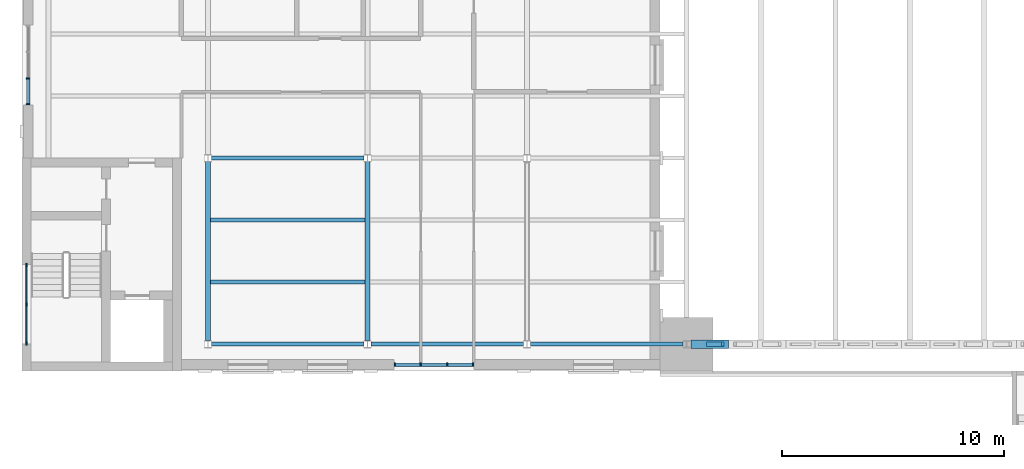
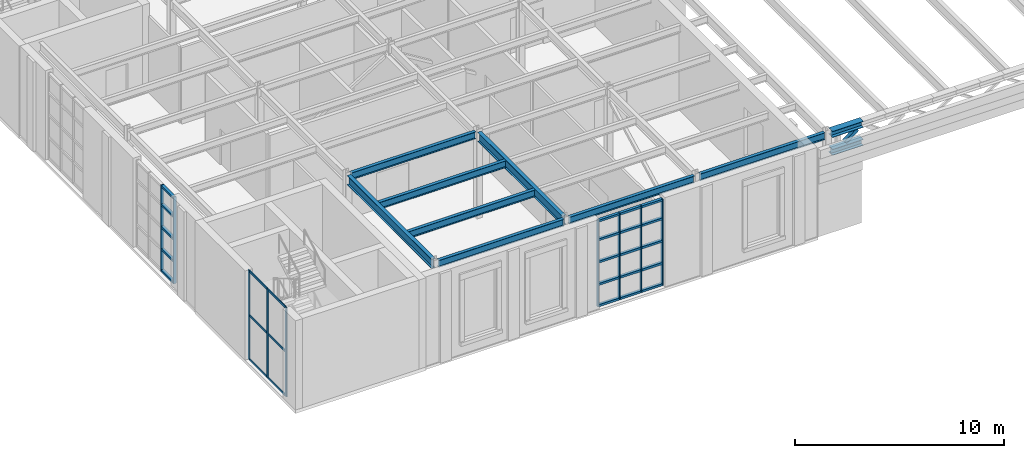
# One storey, part 15 of 93: 38 members, 8 beams, 3 elements without a shape of their own.
"""IFC4 building model written with IfcOpenShell, lengths in metres."""

from ifc_helpers import new_model, si_unit, direction, frame, origin, origin_2d, place, context, subcontext, project, spatial, rectangle, hollow_rectangle, i_section, extrude, material, layer, layer_set, material_profile, profile_set, type_object, element, aggregate, save


model = new_model("IFC4")

# Units and contexts
model_context = context("Model", 3, precision=1e-05, world=origin(), true_north=direction((0.0, 1.0)))
body_context = subcontext(model_context, "Body", "Model", "MODEL_VIEW")
ifc_project = project(units=[si_unit("LENGTHUNIT", "METRE"), si_unit("AREAUNIT", "SQUARE_METRE"), si_unit("VOLUMEUNIT", "CUBIC_METRE"), si_unit("PLANEANGLEUNIT", "RADIAN"), si_unit("MASSUNIT", "GRAM", prefix="KILO")], contexts=[model_context])

# Site, building, storey
site_placement = place(None, origin())
site = spatial("IfcSite", under=ifc_project, at=site_placement, CompositionType="ELEMENT")
building_placement = place(site_placement, origin())
building = spatial("IfcBuilding", under=site, at=building_placement, Name="Verrick Yard Athletic Hall", CompositionType="ELEMENT")
storey_placement = place(building_placement, frame((0.0, 0.0, 8.800048828125)))
storey = spatial("IfcBuildingStorey", under=building, at=storey_placement, Name="L02", CompositionType="ELEMENT", Elevation=8.800048828125)

# Curtain wall, members
ifc_material_1 = material(Name="Aluminium 6063-T5", Category="aluminium")
curtain_wall_type_1 = type_object("IfcCurtainWallType", Name="Core glazing strip", PredefinedType="NOTDEFINED", material=ifc_material_1)
curtain_wall_1_placement = place(storey_placement, origin())
curtain_wall_1 = element("IfcCurtainWall", 1, at=curtain_wall_1_placement, inside=storey, type_object=curtain_wall_type_1, Name="CORE-CB1-CW-L02", PredefinedType="NOTDEFINED")
ifc_material_profile_1 = material_profile(ifc_material_1, rectangle(XDim=0.06005859375, YDim=0.159912109375, at=origin_2d()), Name="Core glazing mullion 60x160")
ifc_profile_set_1 = profile_set([ifc_material_profile_1], Name="Aluminium 6063-T5")
member_type_1 = type_object("IfcMemberType", Name="Core glazing mullion 60x160", PredefinedType="MULLION", material=ifc_profile_set_1)
member_1_placement = place(storey_placement, frame((10.199951171875, 19.22998046875, 0.0), z_axis=(0.0, 0.0, 1.0), x_axis=(-1.0, 0.0, 0.0)))
member_1 = element("IfcMember", 2, at=member_1_placement, type_object=member_type_1, Name="CW5 mullion 1", PredefinedType="MULLION", context=body_context, shape_type="SweptSolid", body=[
    extrude(rectangle(XDim=0.06005859375, YDim=0.159912109375, at=origin_2d()), origin(), (0.0, 0.0, 1.0), 5.199951171875),
])
member_2_placement = place(storey_placement, frame((10.199951171875, 21.0, 0.0), z_axis=(0.0, 0.0, 1.0), x_axis=(-1.0, 0.0, 0.0)))
member_2 = element("IfcMember", 3, at=member_2_placement, type_object=member_type_1, Name="CW5 mullion 2", PredefinedType="MULLION", context=body_context, shape_type="SweptSolid", body=[
    extrude(rectangle(XDim=0.06005859375, YDim=0.159912109375, at=origin_2d()), origin(), (0.0, 0.0, 1.0), 5.199951171875),
])
member_3_placement = place(storey_placement, frame((10.199951171875, 22.77001953125, 0.0), z_axis=(0.0, 0.0, 1.0), x_axis=(-1.0, 0.0, 0.0)))
member_3 = element("IfcMember", 4, at=member_3_placement, type_object=member_type_1, Name="CW5 mullion 3", PredefinedType="MULLION", context=body_context, shape_type="SweptSolid", body=[
    extrude(rectangle(XDim=0.06005859375, YDim=0.159912109375, at=origin_2d()), origin(), (0.0, 0.0, 1.0), 5.199951171875),
])
ifc_material_profile_2 = material_profile(ifc_material_1, rectangle(XDim=0.06005859375, YDim=0.1201171875, at=origin_2d()), Name="Core glazing transom 60x120")
ifc_profile_set_2 = profile_set([ifc_material_profile_2], Name="Aluminium 6063-T5")
member_type_2 = type_object("IfcMemberType", Name="Core glazing transom 60x120", PredefinedType="USERDEFINED", material=ifc_profile_set_2)
member_4_placement = place(storey_placement, frame((10.199951171875, 19.260009765625, 0.030029296875), z_axis=(0.0, 1.0, 0.0), x_axis=(-1.0, 0.0, 0.0)))
member_4 = element("IfcMember", 5, at=member_4_placement, type_object=member_type_2, Name="CW5 transom 1.1", ObjectType="TRANSOM", PredefinedType="USERDEFINED", context=body_context, shape_type="SweptSolid", body=[
    extrude(rectangle(XDim=0.06005859375, YDim=0.1201171875, at=origin_2d()), origin(), (0.0, 0.0, 1.0), 1.7099609375),
])
member_5_placement = place(storey_placement, frame((10.199951171875, 19.260009765625, 2.599853515625), z_axis=(0.0, 1.0, 0.0), x_axis=(-1.0, 0.0, 0.0)))
member_5 = element("IfcMember", 6, at=member_5_placement, type_object=member_type_2, Name="CW5 transom 1.2", ObjectType="TRANSOM", PredefinedType="USERDEFINED", context=body_context, shape_type="SweptSolid", body=[
    extrude(rectangle(XDim=0.06005859375, YDim=0.1201171875, at=origin_2d()), origin(), (0.0, 0.0, 1.0), 1.7099609375),
])
member_6_placement = place(storey_placement, frame((10.199951171875, 19.260009765625, 5.169921875), z_axis=(0.0, 1.0, 0.0), x_axis=(-1.0, 0.0, 0.0)))
member_6 = element("IfcMember", 7, at=member_6_placement, type_object=member_type_2, Name="CW5 transom 1.3", ObjectType="TRANSOM", PredefinedType="USERDEFINED", context=body_context, shape_type="SweptSolid", body=[
    extrude(rectangle(XDim=0.06005859375, YDim=0.1201171875, at=origin_2d()), origin(), (0.0, 0.0, 1.0), 1.7099609375),
])
member_7_placement = place(storey_placement, frame((10.199951171875, 21.030029296875, 0.030029296875), z_axis=(0.0, 1.0, 0.0), x_axis=(-1.0, 0.0, 0.0)))
member_7 = element("IfcMember", 8, at=member_7_placement, type_object=member_type_2, Name="CW5 transom 2.1", ObjectType="TRANSOM", PredefinedType="USERDEFINED", context=body_context, shape_type="SweptSolid", body=[
    extrude(rectangle(XDim=0.06005859375, YDim=0.1201171875, at=origin_2d()), origin(), (0.0, 0.0, 1.0), 1.7099609375),
])
member_8_placement = place(storey_placement, frame((10.199951171875, 21.030029296875, 2.599853515625), z_axis=(0.0, 1.0, 0.0), x_axis=(-1.0, 0.0, 0.0)))
member_8 = element("IfcMember", 9, at=member_8_placement, type_object=member_type_2, Name="CW5 transom 2.2", ObjectType="TRANSOM", PredefinedType="USERDEFINED", context=body_context, shape_type="SweptSolid", body=[
    extrude(rectangle(XDim=0.06005859375, YDim=0.1201171875, at=origin_2d()), origin(), (0.0, 0.0, 1.0), 1.7099609375),
])
member_9_placement = place(storey_placement, frame((10.199951171875, 21.030029296875, 5.169921875), z_axis=(0.0, 1.0, 0.0), x_axis=(-1.0, 0.0, 0.0)))
member_9 = element("IfcMember", 10, at=member_9_placement, type_object=member_type_2, Name="CW5 transom 2.3", ObjectType="TRANSOM", PredefinedType="USERDEFINED", context=body_context, shape_type="SweptSolid", body=[
    extrude(rectangle(XDim=0.06005859375, YDim=0.1201171875, at=origin_2d()), origin(), (0.0, 0.0, 1.0), 1.7099609375),
])
aggregate(curtain_wall_1, [member_1, member_2, member_3, member_4, member_5, member_6, member_7, member_8, member_9])

ifc_material_2 = material(Name="Anodised aluminium", Category="aluminium")
ifc_layer = layer(ifc_material_2, 0.199951171875)
ifc_layer_set = layer_set([ifc_layer], Name="Front glazing")
curtain_wall_type_2 = type_object("IfcCurtainWallType", Name="Front glazing", PredefinedType="NOTDEFINED", material=ifc_layer_set)
curtain_wall_2_placement = place(storey_placement, origin())
curtain_wall_2 = element("IfcCurtainWall", 11, at=curtain_wall_2_placement, inside=storey, type_object=curtain_wall_type_2, Name="ENVB-WS-L02-CW268", PredefinedType="NOTDEFINED")
ifc_material_profile_3 = material_profile(ifc_material_2, rectangle(XDim=0.159912109375, YDim=0.06005859375, at=origin_2d()), Name="CW mullion 60x160")
ifc_profile_set_3 = profile_set([ifc_material_profile_3], Name="Anodised aluminium")
member_type_3 = type_object("IfcMemberType", Name="Front glazing mullion 60x160", PredefinedType="MULLION", material=ifc_profile_set_3)
member_10_placement = place(storey_placement, frame((26.830078125, 18.28125, 0.0), z_axis=(0.0, 0.0, 1.0), x_axis=(0.0, 1.0, 0.0)))
member_10 = element("IfcMember", 12, at=member_10_placement, type_object=member_type_3, Name="ENVB-WS-L02-CW268/M00", PredefinedType="MULLION", context=body_context, shape_type="SweptSolid", body=[
    extrude(rectangle(XDim=0.159912109375, YDim=0.06005859375, at=origin_2d()), origin(), (0.0, 0.0, 1.0), 5.050048828125),
])
member_11_placement = place(storey_placement, frame((28.0, 18.28125, 0.0), z_axis=(0.0, 0.0, 1.0), x_axis=(0.0, 1.0, 0.0)))
member_11 = element("IfcMember", 13, at=member_11_placement, type_object=member_type_3, Name="ENVB-WS-L02-CW268/M01", PredefinedType="MULLION", context=body_context, shape_type="SweptSolid", body=[
    extrude(rectangle(XDim=0.159912109375, YDim=0.06005859375, at=origin_2d()), origin(), (0.0, 0.0, 1.0), 5.050048828125),
])
member_12_placement = place(storey_placement, frame((29.199951171875, 18.28125, 0.0), z_axis=(0.0, 0.0, 1.0), x_axis=(0.0, 1.0, 0.0)))
member_12 = element("IfcMember", 14, at=member_12_placement, type_object=member_type_3, Name="ENVB-WS-L02-CW268/M02", PredefinedType="MULLION", context=body_context, shape_type="SweptSolid", body=[
    extrude(rectangle(XDim=0.159912109375, YDim=0.06005859375, at=origin_2d()), origin(), (0.0, 0.0, 1.0), 5.050048828125),
])
member_13_placement = place(storey_placement, frame((30.3701171875, 18.28125, 0.0), z_axis=(0.0, 0.0, 1.0), x_axis=(0.0, 1.0, 0.0)))
member_13 = element("IfcMember", 15, at=member_13_placement, type_object=member_type_3, Name="ENVB-WS-L02-CW268/M03", PredefinedType="MULLION", context=body_context, shape_type="SweptSolid", body=[
    extrude(rectangle(XDim=0.159912109375, YDim=0.06005859375, at=origin_2d()), origin(), (0.0, 0.0, 1.0), 5.050048828125),
])

curtain_wall_3_placement = place(storey_placement, origin())
curtain_wall_3 = element("IfcCurtainWall", 16, at=curtain_wall_3_placement, inside=storey, type_object=curtain_wall_type_2, Name="ENVB-WW-L02-CW300", PredefinedType="NOTDEFINED")
member_14_placement = place(storey_placement, frame((10.28125, 30.030029296875, 0.0), z_axis=(0.0, 0.0, 1.0), x_axis=(-1.0, 0.0, 0.0)))
member_14 = element("IfcMember", 17, at=member_14_placement, type_object=member_type_3, Name="ENVB-WW-L02-CW300/M00", PredefinedType="MULLION", context=body_context, shape_type="SweptSolid", body=[
    extrude(rectangle(XDim=0.159912109375, YDim=0.06005859375, at=origin_2d()), origin(), (0.0, 0.0, 1.0), 5.050048828125),
])
member_15_placement = place(storey_placement, frame((10.28125, 31.199951171875, 0.0), z_axis=(0.0, 0.0, 1.0), x_axis=(-1.0, 0.0, 0.0)))
member_15 = element("IfcMember", 18, at=member_15_placement, type_object=member_type_3, Name="ENVB-WW-L02-CW300/M01", PredefinedType="MULLION", context=body_context, shape_type="SweptSolid", body=[
    extrude(rectangle(XDim=0.159912109375, YDim=0.06005859375, at=origin_2d()), origin(), (0.0, 0.0, 1.0), 5.050048828125),
])

# Member
ifc_material_profile_4 = material_profile(ifc_material_2, rectangle(XDim=0.159912109375, YDim=0.1201171875, at=origin_2d()), Name="CW transom 160x120")
ifc_profile_set_4 = profile_set([ifc_material_profile_4], Name="Anodised aluminium")
member_type_4 = type_object("IfcMemberType", Name="Front glazing transom 160x120", PredefinedType="USERDEFINED", material=ifc_profile_set_4)
member_16_placement = place(storey_placement, frame((26.860107421875, 18.28125, 0.06005859375), z_axis=(1.0, 0.0, 0.0), x_axis=(0.0, 1.0, 0.0)))
member_16 = element("IfcMember", 19, at=member_16_placement, type_object=member_type_4, Name="ENVB-WS-L02-CW268/T00-00", ObjectType="TRANSOM", PredefinedType="USERDEFINED", context=body_context, shape_type="SweptSolid", body=[
    extrude(rectangle(XDim=0.159912109375, YDim=0.1201171875, at=origin_2d()), origin(), (0.0, 0.0, 1.0), 1.10986328125),
])

member_17_placement = place(storey_placement, frame((26.860107421875, 18.28125, 1.300048828125), z_axis=(1.0, 0.0, 0.0), x_axis=(0.0, 1.0, 0.0)))
member_17 = element("IfcMember", 20, at=member_17_placement, type_object=member_type_4, Name="ENVB-WS-L02-CW268/T00-01", ObjectType="TRANSOM", PredefinedType="USERDEFINED", context=body_context, shape_type="SweptSolid", body=[
    extrude(rectangle(XDim=0.159912109375, YDim=0.1201171875, at=origin_2d()), origin(), (0.0, 0.0, 1.0), 1.10986328125),
])

member_18_placement = place(storey_placement, frame((26.860107421875, 18.28125, 2.599853515625), z_axis=(1.0, 0.0, 0.0), x_axis=(0.0, 1.0, 0.0)))
member_18 = element("IfcMember", 21, at=member_18_placement, type_object=member_type_4, Name="ENVB-WS-L02-CW268/T00-02", ObjectType="TRANSOM", PredefinedType="USERDEFINED", context=body_context, shape_type="SweptSolid", body=[
    extrude(rectangle(XDim=0.159912109375, YDim=0.1201171875, at=origin_2d()), origin(), (0.0, 0.0, 1.0), 1.10986328125),
])

member_19_placement = place(storey_placement, frame((26.860107421875, 18.28125, 3.89990234375), z_axis=(1.0, 0.0, 0.0), x_axis=(0.0, 1.0, 0.0)))
member_19 = element("IfcMember", 22, at=member_19_placement, type_object=member_type_4, Name="ENVB-WS-L02-CW268/T00-03", ObjectType="TRANSOM", PredefinedType="USERDEFINED", context=body_context, shape_type="SweptSolid", body=[
    extrude(rectangle(XDim=0.159912109375, YDim=0.1201171875, at=origin_2d()), origin(), (0.0, 0.0, 1.0), 1.10986328125),
])

member_20_placement = place(storey_placement, frame((26.860107421875, 18.28125, 4.989990234375), z_axis=(1.0, 0.0, 0.0), x_axis=(0.0, 1.0, 0.0)))
member_20 = element("IfcMember", 23, at=member_20_placement, type_object=member_type_4, Name="ENVB-WS-L02-CW268/T00-04", ObjectType="TRANSOM", PredefinedType="USERDEFINED", context=body_context, shape_type="SweptSolid", body=[
    extrude(rectangle(XDim=0.159912109375, YDim=0.1201171875, at=origin_2d()), origin(), (0.0, 0.0, 1.0), 1.10986328125),
])

member_21_placement = place(storey_placement, frame((28.030029296875, 18.28125, 0.06005859375), z_axis=(1.0, 0.0, 0.0), x_axis=(0.0, 1.0, 0.0)))
member_21 = element("IfcMember", 24, at=member_21_placement, type_object=member_type_4, Name="ENVB-WS-L02-CW268/T01-00", ObjectType="TRANSOM", PredefinedType="USERDEFINED", context=body_context, shape_type="SweptSolid", body=[
    extrude(rectangle(XDim=0.159912109375, YDim=0.1201171875, at=origin_2d()), origin(), (0.0, 0.0, 1.0), 1.139892578125),
])

member_22_placement = place(storey_placement, frame((28.030029296875, 18.28125, 1.300048828125), z_axis=(1.0, 0.0, 0.0), x_axis=(0.0, 1.0, 0.0)))
member_22 = element("IfcMember", 25, at=member_22_placement, type_object=member_type_4, Name="ENVB-WS-L02-CW268/T01-01", ObjectType="TRANSOM", PredefinedType="USERDEFINED", context=body_context, shape_type="SweptSolid", body=[
    extrude(rectangle(XDim=0.159912109375, YDim=0.1201171875, at=origin_2d()), origin(), (0.0, 0.0, 1.0), 1.139892578125),
])

member_23_placement = place(storey_placement, frame((28.030029296875, 18.28125, 2.599853515625), z_axis=(1.0, 0.0, 0.0), x_axis=(0.0, 1.0, 0.0)))
member_23 = element("IfcMember", 26, at=member_23_placement, type_object=member_type_4, Name="ENVB-WS-L02-CW268/T01-02", ObjectType="TRANSOM", PredefinedType="USERDEFINED", context=body_context, shape_type="SweptSolid", body=[
    extrude(rectangle(XDim=0.159912109375, YDim=0.1201171875, at=origin_2d()), origin(), (0.0, 0.0, 1.0), 1.139892578125),
])

member_24_placement = place(storey_placement, frame((28.030029296875, 18.28125, 3.89990234375), z_axis=(1.0, 0.0, 0.0), x_axis=(0.0, 1.0, 0.0)))
member_24 = element("IfcMember", 27, at=member_24_placement, type_object=member_type_4, Name="ENVB-WS-L02-CW268/T01-03", ObjectType="TRANSOM", PredefinedType="USERDEFINED", context=body_context, shape_type="SweptSolid", body=[
    extrude(rectangle(XDim=0.159912109375, YDim=0.1201171875, at=origin_2d()), origin(), (0.0, 0.0, 1.0), 1.139892578125),
])

member_25_placement = place(storey_placement, frame((28.030029296875, 18.28125, 4.989990234375), z_axis=(1.0, 0.0, 0.0), x_axis=(0.0, 1.0, 0.0)))
member_25 = element("IfcMember", 28, at=member_25_placement, type_object=member_type_4, Name="ENVB-WS-L02-CW268/T01-04", ObjectType="TRANSOM", PredefinedType="USERDEFINED", context=body_context, shape_type="SweptSolid", body=[
    extrude(rectangle(XDim=0.159912109375, YDim=0.1201171875, at=origin_2d()), origin(), (0.0, 0.0, 1.0), 1.139892578125),
])

member_26_placement = place(storey_placement, frame((29.22998046875, 18.28125, 0.06005859375), z_axis=(1.0, 0.0, 0.0), x_axis=(0.0, 1.0, 0.0)))
member_26 = element("IfcMember", 29, at=member_26_placement, type_object=member_type_4, Name="ENVB-WS-L02-CW268/T02-00", ObjectType="TRANSOM", PredefinedType="USERDEFINED", context=body_context, shape_type="SweptSolid", body=[
    extrude(rectangle(XDim=0.159912109375, YDim=0.1201171875, at=origin_2d()), origin(), (0.0, 0.0, 1.0), 1.110107421875),
])

member_27_placement = place(storey_placement, frame((29.22998046875, 18.28125, 1.300048828125), z_axis=(1.0, 0.0, 0.0), x_axis=(0.0, 1.0, 0.0)))
member_27 = element("IfcMember", 30, at=member_27_placement, type_object=member_type_4, Name="ENVB-WS-L02-CW268/T02-01", ObjectType="TRANSOM", PredefinedType="USERDEFINED", context=body_context, shape_type="SweptSolid", body=[
    extrude(rectangle(XDim=0.159912109375, YDim=0.1201171875, at=origin_2d()), origin(), (0.0, 0.0, 1.0), 1.110107421875),
])

member_28_placement = place(storey_placement, frame((29.22998046875, 18.28125, 2.599853515625), z_axis=(1.0, 0.0, 0.0), x_axis=(0.0, 1.0, 0.0)))
member_28 = element("IfcMember", 31, at=member_28_placement, type_object=member_type_4, Name="ENVB-WS-L02-CW268/T02-02", ObjectType="TRANSOM", PredefinedType="USERDEFINED", context=body_context, shape_type="SweptSolid", body=[
    extrude(rectangle(XDim=0.159912109375, YDim=0.1201171875, at=origin_2d()), origin(), (0.0, 0.0, 1.0), 1.110107421875),
])

member_29_placement = place(storey_placement, frame((29.22998046875, 18.28125, 3.89990234375), z_axis=(1.0, 0.0, 0.0), x_axis=(0.0, 1.0, 0.0)))
member_29 = element("IfcMember", 32, at=member_29_placement, type_object=member_type_4, Name="ENVB-WS-L02-CW268/T02-03", ObjectType="TRANSOM", PredefinedType="USERDEFINED", context=body_context, shape_type="SweptSolid", body=[
    extrude(rectangle(XDim=0.159912109375, YDim=0.1201171875, at=origin_2d()), origin(), (0.0, 0.0, 1.0), 1.110107421875),
])

member_30_placement = place(storey_placement, frame((29.22998046875, 18.28125, 4.989990234375), z_axis=(1.0, 0.0, 0.0), x_axis=(0.0, 1.0, 0.0)))
member_30 = element("IfcMember", 33, at=member_30_placement, type_object=member_type_4, Name="ENVB-WS-L02-CW268/T02-04", ObjectType="TRANSOM", PredefinedType="USERDEFINED", context=body_context, shape_type="SweptSolid", body=[
    extrude(rectangle(XDim=0.159912109375, YDim=0.1201171875, at=origin_2d()), origin(), (0.0, 0.0, 1.0), 1.110107421875),
])

aggregate(curtain_wall_2, [member_10, member_11, member_12, member_13, member_16, member_17, member_18, member_19, member_20, member_21, member_22, member_23, member_24, member_25, member_26, member_27, member_28, member_29, member_30])

member_31_placement = place(storey_placement, frame((10.28125, 30.06005859375, 0.06005859375), z_axis=(0.0, 1.0, 0.0), x_axis=(-1.0, 0.0, 0.0)))
member_31 = element("IfcMember", 34, at=member_31_placement, type_object=member_type_4, Name="ENVB-WW-L02-CW300/T00-00", ObjectType="TRANSOM", PredefinedType="USERDEFINED", context=body_context, shape_type="SweptSolid", body=[
    extrude(rectangle(XDim=0.159912109375, YDim=0.1201171875, at=origin_2d()), origin(), (0.0, 0.0, 1.0), 1.10986328125),
])

member_32_placement = place(storey_placement, frame((10.28125, 30.06005859375, 1.300048828125), z_axis=(0.0, 1.0, 0.0), x_axis=(-1.0, 0.0, 0.0)))
member_32 = element("IfcMember", 35, at=member_32_placement, type_object=member_type_4, Name="ENVB-WW-L02-CW300/T00-01", ObjectType="TRANSOM", PredefinedType="USERDEFINED", context=body_context, shape_type="SweptSolid", body=[
    extrude(rectangle(XDim=0.159912109375, YDim=0.1201171875, at=origin_2d()), origin(), (0.0, 0.0, 1.0), 1.10986328125),
])

member_33_placement = place(storey_placement, frame((10.28125, 30.06005859375, 2.599853515625), z_axis=(0.0, 1.0, 0.0), x_axis=(-1.0, 0.0, 0.0)))
member_33 = element("IfcMember", 36, at=member_33_placement, type_object=member_type_4, Name="ENVB-WW-L02-CW300/T00-02", ObjectType="TRANSOM", PredefinedType="USERDEFINED", context=body_context, shape_type="SweptSolid", body=[
    extrude(rectangle(XDim=0.159912109375, YDim=0.1201171875, at=origin_2d()), origin(), (0.0, 0.0, 1.0), 1.10986328125),
])

member_34_placement = place(storey_placement, frame((10.28125, 30.06005859375, 3.89990234375), z_axis=(0.0, 1.0, 0.0), x_axis=(-1.0, 0.0, 0.0)))
member_34 = element("IfcMember", 37, at=member_34_placement, type_object=member_type_4, Name="ENVB-WW-L02-CW300/T00-03", ObjectType="TRANSOM", PredefinedType="USERDEFINED", context=body_context, shape_type="SweptSolid", body=[
    extrude(rectangle(XDim=0.159912109375, YDim=0.1201171875, at=origin_2d()), origin(), (0.0, 0.0, 1.0), 1.10986328125),
])

member_35_placement = place(storey_placement, frame((10.28125, 30.06005859375, 4.989990234375), z_axis=(0.0, 1.0, 0.0), x_axis=(-1.0, 0.0, 0.0)))
member_35 = element("IfcMember", 38, at=member_35_placement, type_object=member_type_4, Name="ENVB-WW-L02-CW300/T00-04", ObjectType="TRANSOM", PredefinedType="USERDEFINED", context=body_context, shape_type="SweptSolid", body=[
    extrude(rectangle(XDim=0.159912109375, YDim=0.1201171875, at=origin_2d()), origin(), (0.0, 0.0, 1.0), 1.10986328125),
])

aggregate(curtain_wall_3, [member_14, member_15, member_31, member_32, member_33, member_34, member_35])

# Members
ifc_material_3 = material(Name="Structural steel 350W (CSA G40.21)", Category="steel")
ifc_material_profile_5 = material_profile(ifc_material_3, i_section(OverallWidth=0.368896484375, OverallDepth=0.35595703125, WebThickness=0.01123046875, FlangeThickness=0.01806640625, at=origin_2d()), Name="W360x134")
ifc_profile_set_5 = profile_set([ifc_material_profile_5], Name="Structural steel 350W (CSA G40.21)")
member_type_5 = type_object("IfcMemberType", Name="STR Edge truss bottom chord W360x134", PredefinedType="CHORD", material=ifc_profile_set_5)
member_36_placement = place(storey_placement, frame((40.199951171875, 19.199951171875, 3.827880859375), z_axis=(1.0, 0.0, 0.0), x_axis=(0.0, 1.0, 0.0)))
element("IfcMember", 39, at=member_36_placement, inside=storey, type_object=member_type_5, Name="STR-BC-GA1-1", PredefinedType="CHORD", context=body_context, shape_type="SweptSolid", body=[
    extrude(i_section(OverallWidth=0.368896484375, OverallDepth=0.35595703125, WebThickness=0.01123046875, FlangeThickness=0.01806640625, at=origin_2d()), origin(), (0.0, 0.0, 1.0), 1.699951171875),
])
ifc_material_profile_6 = material_profile(ifc_material_3, i_section(OverallWidth=0.368896484375, OverallDepth=0.35595703125, WebThickness=0.01123046875, FlangeThickness=0.01806640625, at=origin_2d()), Name="W360x134")
ifc_profile_set_6 = profile_set([ifc_material_profile_6], Name="Structural steel 350W (CSA G40.21)")
member_type_6 = type_object("IfcMemberType", Name="STR Edge truss top chord W360x134", PredefinedType="CHORD", material=ifc_profile_set_6)
member_37_placement = place(storey_placement, frame((40.199951171875, 19.199951171875, 4.8720703125), z_axis=(1.0, 0.0, 0.0), x_axis=(0.0, 1.0, 0.0)))
element("IfcMember", 40, at=member_37_placement, inside=storey, type_object=member_type_6, Name="STR-TC-GA1-1", PredefinedType="CHORD", context=body_context, shape_type="SweptSolid", body=[
    extrude(i_section(OverallWidth=0.368896484375, OverallDepth=0.35595703125, WebThickness=0.01123046875, FlangeThickness=0.01806640625, at=origin_2d()), origin(), (0.0, 0.0, 1.0), 1.699951171875),
])
ifc_material_4 = material(Name="Structural steel HSS Class C 350W (CSA G40.20/G40.21)", Category="steel")
ifc_material_profile_7 = material_profile(ifc_material_4, hollow_rectangle(XDim=0.203125, YDim=0.203125, WallThickness=0.0126953125, at=origin_2d()), Name="HSS203x203x13")
ifc_profile_set_7 = profile_set([ifc_material_profile_7], Name="Structural steel HSS Class C 350W (CSA G40.20/G40.21)")
member_type_7 = type_object("IfcMemberType", Name="STR Edge truss web HSS203x203x13", PredefinedType="BRACE", material=ifc_profile_set_7)
member_38_placement = place(storey_placement, frame((40.97216796875, 19.199951171875, 4.084716796875), z_axis=(0.780391329508, 0.0, 0.625291430318), x_axis=(0.0, 1.0, 0.0)))
element("IfcMember", 41, at=member_38_placement, inside=storey, type_object=member_type_7, Name="STR-TW-GA1-1", PredefinedType="BRACE", context=body_context, shape_type="SweptSolid", body=[
    extrude(hollow_rectangle(XDim=0.203125, YDim=0.203125, WallThickness=0.0126953125, at=origin_2d()), origin(), (0.0, 0.0, 1.0), 0.848388671875),
])

# Beams
ifc_material_profile_8 = material_profile(ifc_material_3, i_section(OverallWidth=0.177978515625, OverallDepth=0.406982421875, WebThickness=0.0078125, FlangeThickness=0.0126953125, at=origin_2d()), Name="W410x60")
ifc_profile_set_8 = profile_set([ifc_material_profile_8], Name="Structural steel 350W (CSA G40.21)")
beam_type_1 = type_object("IfcBeamType", Name="STR Wing floor beam W410x60", PredefinedType="BEAM", material=ifc_profile_set_8)
for number, where, z_axis, x_axis, name in (
    (42, (18.554443359375, 19.199951171875, 4.846435546875), (1.0, 0.0, 0.0), (0.0, 1.0, 0.0), "STR-B-W140-19.2-1"),
    (43, (25.75439453125, 19.199951171875, 4.846435546875), (1.0, 0.0, 0.0), (0.0, 1.0, 0.0), "STR-B-W140-19.2-2"),
):
    element("IfcBeam", number, at=place(storey_placement, frame(where, z_axis=z_axis, x_axis=x_axis)), inside=storey, type_object=beam_type_1, Name=name, PredefinedType="BEAM", context=body_context, shape_type="SweptSolid", body=[
        extrude(i_section(OverallWidth=0.177978515625, OverallDepth=0.406982421875, WebThickness=0.0078125, FlangeThickness=0.0126953125, at=origin_2d()), origin(), (0.0, 0.0, 1.0), 6.89111328125),
    ])
beam_1_placement = place(storey_placement, frame((32.95458984375, 19.199951171875, 4.846435546875), z_axis=(1.0, 0.0, 0.0), x_axis=(0.0, 1.0, 0.0)))
element("IfcBeam", 44, at=beam_1_placement, inside=storey, type_object=beam_type_1, Name="STR-B-W140-19.2-3", PredefinedType="BEAM", context=body_context, shape_type="SweptSolid", body=[
    extrude(i_section(OverallWidth=0.177978515625, OverallDepth=0.406982421875, WebThickness=0.0078125, FlangeThickness=0.0126953125, at=origin_2d()), origin(), (0.0, 0.0, 1.0), 6.890869140625),
])
beam_2_placement = place(storey_placement, frame((18.554443359375, 27.60009765625, 4.846435546875), z_axis=(1.0, 0.0, 0.0), x_axis=(0.0, 1.0, 0.0)))
element("IfcBeam", 45, at=beam_2_placement, inside=storey, type_object=beam_type_1, Name="STR-B-W140-27.6-1", PredefinedType="BEAM", context=body_context, shape_type="SweptSolid", body=[
    extrude(i_section(OverallWidth=0.177978515625, OverallDepth=0.406982421875, WebThickness=0.0078125, FlangeThickness=0.0126953125, at=origin_2d()), origin(), (0.0, 0.0, 1.0), 6.89111328125),
])
for number, where, z_axis, x_axis, name in (
    (46, (18.50439453125, 22.0, 4.846435546875), (1.0, 0.0, 0.0), (0.0, 1.0, 0.0), "STR-B-W140-22-1"),
    (47, (18.50439453125, 24.800048828125, 4.846435546875), (1.0, 0.0, 0.0), (0.0, 1.0, 0.0), "STR-B-W140-24.8-1"),
):
    element("IfcBeam", number, at=place(storey_placement, frame(where, z_axis=z_axis, x_axis=x_axis)), inside=storey, type_object=beam_type_1, Name=name, PredefinedType="BEAM", context=body_context, shape_type="SweptSolid", body=[
        extrude(i_section(OverallWidth=0.177978515625, OverallDepth=0.406982421875, WebThickness=0.0078125, FlangeThickness=0.0126953125, at=origin_2d()), origin(), (0.0, 0.0, 1.0), 6.9912109375),
    ])
ifc_material_profile_9 = material_profile(ifc_material_3, i_section(OverallWidth=0.208984375, OverallDepth=0.532958984375, WebThickness=0.01025390625, FlangeThickness=0.015625, at=origin_2d()), Name="W530x92")
ifc_profile_set_9 = profile_set([ifc_material_profile_9], Name="Structural steel 350W (CSA G40.21)")
beam_type_2 = type_object("IfcBeamType", Name="STR Wing girder W530x92", PredefinedType="BEAM", material=ifc_profile_set_9)
for number, where, z_axis, x_axis, name in (
    (48, (18.39990234375, 19.361572265625, 4.783447265625), (0.0, 1.0, 0.0), (-1.0, 0.0, 0.0), "STR-GB-W140-18.4-1"),
    (49, (25.60009765625, 19.361572265625, 4.783447265625), (0.0, 1.0, 0.0), (-1.0, 0.0, 0.0), "STR-GB-W140-25.6-1"),
):
    element("IfcBeam", number, at=place(storey_placement, frame(where, z_axis=z_axis, x_axis=x_axis)), inside=storey, type_object=beam_type_2, Name=name, PredefinedType="BEAM", context=body_context, shape_type="SweptSolid", body=[
        extrude(i_section(OverallWidth=0.208984375, OverallDepth=0.532958984375, WebThickness=0.01025390625, FlangeThickness=0.015625, at=origin_2d()), origin(), (0.0, 0.0, 1.0), 8.076904296875),
    ])

save(model, "model.ifc")
